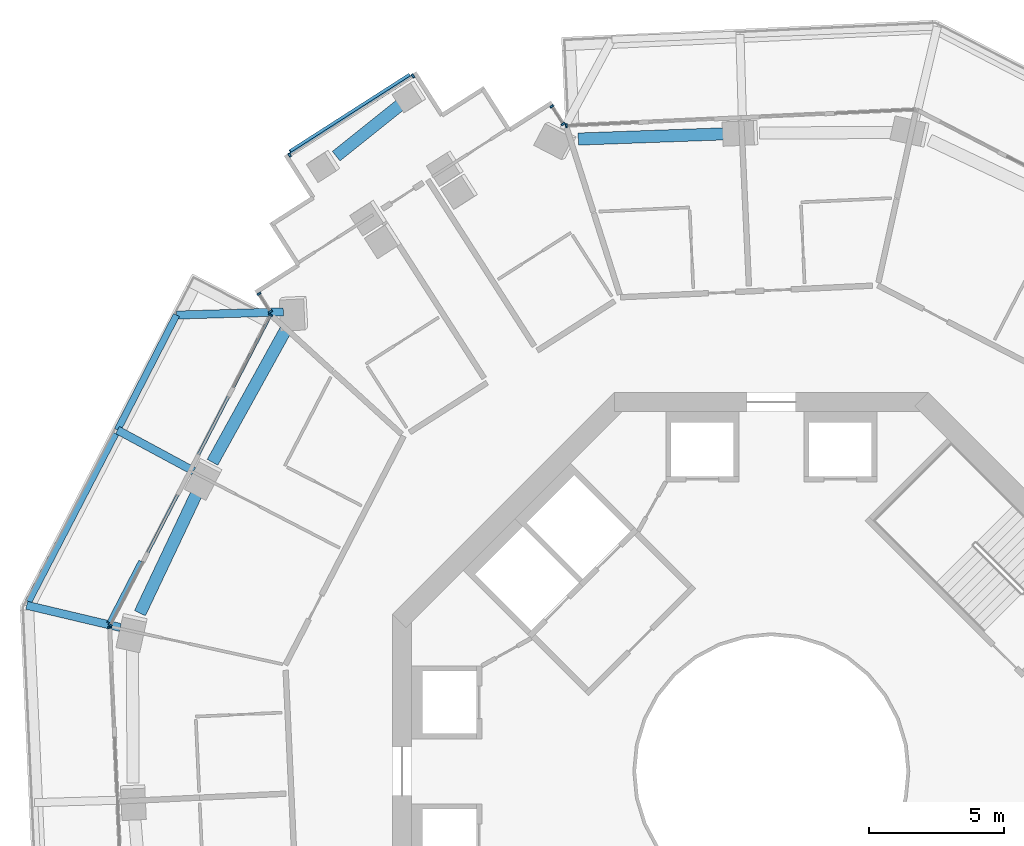
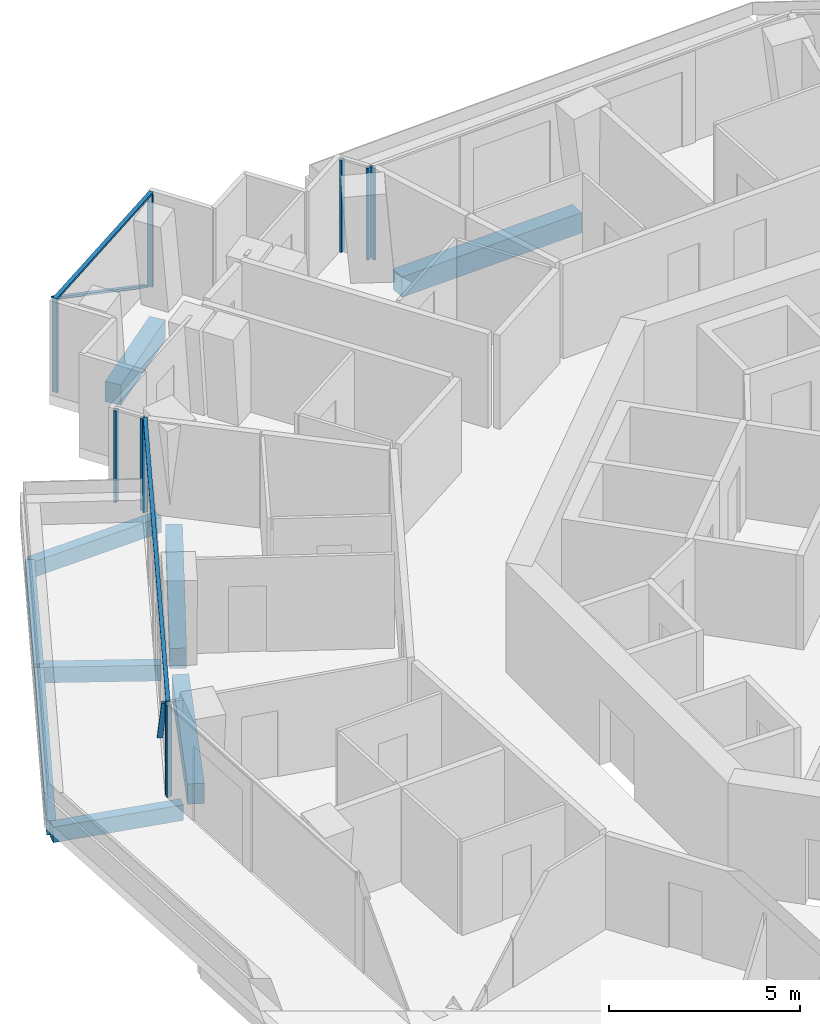
# One storey, part 7 of 22: 14 members, 9 beams, 6 elements without a shape of their own.
"""IFC4 building model written with IfcOpenShell, lengths in metres."""

from ifc_helpers import new_model, si_unit, direction, frame, origin, origin_2d, place, context, subcontext, project, spatial, rectangle, extrude, material, layer, layer_set, material_profile, profile_set, type_object, element, aggregate, save


model = new_model("IFC4")

# Units and contexts
model_context = context("Model", 3, precision=1e-05, world=origin(), true_north=direction((0.0, 1.0)))
body_context = subcontext(model_context, "Body", "Model", "MODEL_VIEW")
ifc_project = project(units=[si_unit("LENGTHUNIT", "METRE"), si_unit("AREAUNIT", "SQUARE_METRE"), si_unit("VOLUMEUNIT", "CUBIC_METRE"), si_unit("PLANEANGLEUNIT", "RADIAN"), si_unit("MASSUNIT", "GRAM", prefix="KILO")], contexts=[model_context])

# Site, building, storey
site_placement = place(None, origin())
site = spatial("IfcSite", under=ifc_project, at=site_placement, CompositionType="ELEMENT")
building_placement = place(site_placement, origin())
building = spatial("IfcBuilding", under=site, at=building_placement, Name="Verdalira Terraces Hotel", CompositionType="ELEMENT")
storey_placement = place(building_placement, frame((0.0, 0.0, 165.5)))
storey = spatial("IfcBuildingStorey", under=building, at=storey_placement, Name="L40", CompositionType="ELEMENT", Elevation=165.5)

# Beams
ifc_material_1 = material(Name="Concrete C40", Category="concrete")
ifc_material_profile_1 = material_profile(ifc_material_1, rectangle(XDim=0.300049, YDim=0.5, at=origin_2d()), Name="RC 300X500")
ifc_profile_set_1 = profile_set([ifc_material_profile_1], Name="Concrete C40")
beam_type_1 = type_object("IfcBeamType", Name="Balcony cantilever beam RC 300X500 C40", PredefinedType="BEAM", material=ifc_profile_set_1)
beam_1_placement = place(storey_placement, frame((-18.035889, 16.977783, -0.560059), z_axis=(-0.999570794, -0.029295527, 0.0), x_axis=(0.029295527, -0.999570794, 0.0)))
element("IfcBeam", 1, at=beam_1_placement, inside=storey, type_object=beam_type_1, Name="Balcony cantilever beam R11-3", PredefinedType="BEAM", context=body_context, shape_type="SweptSolid", body=[
    extrude(rectangle(XDim=0.300049, YDim=0.5, at=origin_2d()), origin(), (0.0, 0.0, 1.0), 3.950195),
])
beam_2_placement = place(storey_placement, frame((-21.347168, 11.094482, -0.560059), z_axis=(-0.8803241, 0.474372721, 0.0), x_axis=(-0.474372721, -0.8803241, 0.0)))
element("IfcBeam", 2, at=beam_2_placement, inside=storey, type_object=beam_type_1, Name="Balcony cantilever beam R11-4", PredefinedType="BEAM", context=body_context, shape_type="SweptSolid", body=[
    extrude(rectangle(XDim=0.300049, YDim=0.5, at=origin_2d()), origin(), (0.0, 0.0, 1.0), 3.200684),
])
beam_3_placement = place(storey_placement, frame((-24.062012, 5.317139, -0.560059), z_axis=(-0.973083934, 0.230450989, 0.0), x_axis=(-0.230450989, -0.973083934, 0.0)))
element("IfcBeam", 3, at=beam_3_placement, inside=storey, type_object=beam_type_1, Name="Balcony cantilever beam R11-5", PredefinedType="BEAM", context=body_context, shape_type="SweptSolid", body=[
    extrude(rectangle(XDim=0.300049, YDim=0.5, at=origin_2d()), origin(), (0.0, 0.0, 1.0), 3.556396),
])
ifc_material_2 = material(Name="Concrete C40", Category="concrete")
ifc_material_profile_2 = material_profile(ifc_material_2, rectangle(XDim=0.25, YDim=0.449951, at=origin_2d()), Name="RC 250X450")
ifc_profile_set_2 = profile_set([ifc_material_profile_2], Name="Concrete C40")
beam_type_2 = type_object("IfcBeamType", Name="Balcony edge beam RC 250X450 C40", PredefinedType="BEAM", material=ifc_profile_set_2)
beam_4_placement = place(storey_placement, frame((-21.984375, 16.862061, -0.534912), z_axis=(-0.456533532, -0.889706206, 0.0), x_axis=(0.889706206, -0.456533532, 0.0)))
element("IfcBeam", 4, at=beam_4_placement, inside=storey, type_object=beam_type_2, Name="Balcony edge beam R11-2", PredefinedType="BEAM", context=body_context, shape_type="SweptSolid", body=[
    extrude(rectangle(XDim=0.25, YDim=0.449951, at=origin_2d()), origin(), (0.0, 0.0, 1.0), 4.776123),
])
beam_5_placement = place(storey_placement, frame((-24.233887, 12.479736, -0.534912), z_axis=(-0.460311048, -0.887757703, 0.0), x_axis=(0.887757703, -0.460311048, 0.0)))
element("IfcBeam", 5, at=beam_5_placement, inside=storey, type_object=beam_type_2, Name="Balcony edge beam R11-3", PredefinedType="BEAM", context=body_context, shape_type="SweptSolid", body=[
    extrude(rectangle(XDim=0.25, YDim=0.449951, at=origin_2d()), origin(), (0.0, 0.0, 1.0), 6.990479),
])

# Curtain wall, members
ifc_material_3 = material(Name="Clear glass", Category="glass")
ifc_layer_1 = layer(ifc_material_3, 0.14990234375)
ifc_layer_set_1 = layer_set([ifc_layer_1], Name="CW1 curtain wall")
curtain_wall_type_1 = type_object("IfcCurtainWallType", Name="CW1 curtain wall", PredefinedType="NOTDEFINED", material=ifc_layer_set_1)
curtain_wall_1_placement = place(storey_placement, origin())
curtain_wall_1 = element("IfcCurtainWall", 6, at=curtain_wall_1_placement, inside=storey, type_object=curtain_wall_type_1, Name="CW1 curtain wall L40 edge 11", PredefinedType="NOTDEFINED")
ifc_material_4 = material(Name="Terracotta frame", Category="masonry")
ifc_material_profile_3 = material_profile(ifc_material_4, rectangle(XDim=0.060059, YDim=0.149902, at=origin_2d()), Name="MU 60x150")
ifc_profile_set_3 = profile_set([ifc_material_profile_3], Name="Terracotta frame")
member_type_1 = type_object("IfcMemberType", Name="CW1 mullion 60x150", PredefinedType="MULLION", material=ifc_profile_set_3)
member_1_placement = place(storey_placement, frame((-18.504639, 16.860352, 0.0), z_axis=(0.0, 0.0, 1.0), x_axis=(-0.459579861, -0.888136449, 0.0)))
member_1 = element("IfcMember", 7, at=member_1_placement, type_object=member_type_1, Name="CW1 mullion", PredefinedType="MULLION", context=body_context, shape_type="SweptSolid", body=[
    extrude(rectangle(XDim=0.060059, YDim=0.149902, at=origin_2d()), origin(), (0.0, 0.0, 1.0), 2.935059),
])
member_2_placement = place(storey_placement, frame((-24.433105, 5.403564, 0.0), z_axis=(0.0, 0.0, 1.0), x_axis=(-0.459579861, -0.888136449, 0.0)))
member_2 = element("IfcMember", 8, at=member_2_placement, type_object=member_type_1, Name="CW1 mullion", PredefinedType="MULLION", context=body_context, shape_type="SweptSolid", body=[
    extrude(rectangle(XDim=0.060059, YDim=0.149902, at=origin_2d()), origin(), (0.0, 0.0, 1.0), 2.935059),
])

# Curtain wall, member
curtain_wall_2_placement = place(storey_placement, origin())
curtain_wall_2 = element("IfcCurtainWall", 9, at=curtain_wall_2_placement, inside=storey, type_object=curtain_wall_type_1, Name="CW1 curtain wall L40 edge 12", PredefinedType="NOTDEFINED")
member_3_placement = place(storey_placement, frame((-24.453857, 5.309082, 0.0), z_axis=(0.0, 0.0, 1.0), x_axis=(0.04606039, -0.998938657, 0.0)))
member_3 = element("IfcMember", 10, at=member_3_placement, type_object=member_type_1, Name="CW1 mullion", PredefinedType="MULLION", context=body_context, shape_type="SweptSolid", body=[
    extrude(rectangle(XDim=0.060059, YDim=0.149902, at=origin_2d()), origin(), (0.0, 0.0, 1.0), 2.935059),
])
aggregate(curtain_wall_2, [member_3])

curtain_wall_3_placement = place(storey_placement, origin())
curtain_wall_3 = element("IfcCurtainWall", 11, at=curtain_wall_3_placement, inside=storey, type_object=curtain_wall_type_1, Name="CW1 curtain wall L40 edge 41", PredefinedType="NOTDEFINED")
member_4_placement = place(storey_placement, frame((-7.577148, 23.859619, 0.0), z_axis=(0.0, 0.0, 1.0), x_axis=(-0.998938657, -0.04606039, 0.0)))
member_4 = element("IfcMember", 12, at=member_4_placement, type_object=member_type_1, Name="CW1 mullion", PredefinedType="MULLION", context=body_context, shape_type="SweptSolid", body=[
    extrude(rectangle(XDim=0.060059, YDim=0.149902, at=origin_2d()), origin(), (0.0, 0.0, 1.0), 2.935059),
])
aggregate(curtain_wall_3, [member_4])

# Member
ifc_material_5 = material(Name="Terracotta frame", Category="masonry")
ifc_material_profile_4 = material_profile(ifc_material_5, rectangle(XDim=0.110107, YDim=0.064941, at=origin_2d()), Name="TR 65x110")
ifc_profile_set_4 = profile_set([ifc_material_profile_4], Name="Terracotta frame")
member_type_2 = type_object("IfcMemberType", Name="CW1 transom 65x110", PredefinedType="USERDEFINED", material=ifc_profile_set_4)
member_5_placement = place(storey_placement, frame((-18.490723, 16.886963, 2.967529), z_axis=(-0.459581271, -0.888135719, 0.0), x_axis=(0.888135719, -0.459581271, 0.0)))
member_5 = element("IfcMember", 13, at=member_5_placement, type_object=member_type_2, Name="CW1 transom", ObjectType="TRANSOM", PredefinedType="USERDEFINED", context=body_context, shape_type="SweptSolid", body=[
    extrude(rectangle(XDim=0.110107, YDim=0.064941, at=origin_2d()), origin(), (0.0, 0.0, 1.0), 12.959717),
])

# Curtain wall, members
ifc_material_6 = material(Name="Clear glass", Category="glass")
ifc_layer_2 = layer(ifc_material_6, 0.14990234375)
ifc_layer_set_2 = layer_set([ifc_layer_2], Name="CW2 curtain wall")
curtain_wall_type_2 = type_object("IfcCurtainWallType", Name="CW2 curtain wall", PredefinedType="NOTDEFINED", material=ifc_layer_set_2)
curtain_wall_4_placement = place(storey_placement, origin())
curtain_wall_4 = element("IfcCurtainWall", 14, at=curtain_wall_4_placement, inside=storey, type_object=curtain_wall_type_2, Name="CW2 curtain wall L40 edge 0", PredefinedType="NOTDEFINED")
ifc_material_7 = material(Name="Terracotta frame", Category="masonry")
ifc_material_profile_5 = material_profile(ifc_material_7, rectangle(XDim=0.070068, YDim=0.149902, at=origin_2d()), Name="MU 70x150")
ifc_profile_set_5 = profile_set([ifc_material_profile_5], Name="Terracotta frame")
member_type_3 = type_object("IfcMemberType", Name="CW2 mullion 70x150", PredefinedType="MULLION", material=ifc_profile_set_5)
member_6_placement = place(storey_placement, frame((-7.692383, 23.922119, 0.0), z_axis=(0.0, 0.0, 1.0), x_axis=(-0.539358796, 0.842076059, 0.0)))
member_6 = element("IfcMember", 15, at=member_6_placement, type_object=member_type_3, Name="CW2 mullion", PredefinedType="MULLION", context=body_context, shape_type="SweptSolid", body=[
    extrude(rectangle(XDim=0.070068, YDim=0.149902, at=origin_2d()), origin(), (0.0, 0.0, 1.0), 2.935059),
])
member_7_placement = place(storey_placement, frame((-8.113281, 24.579102, 0.0), z_axis=(0.0, 0.0, 1.0), x_axis=(-0.539358796, 0.842076059, 0.0)))
member_7 = element("IfcMember", 16, at=member_7_placement, type_object=member_type_3, Name="CW2 mullion", PredefinedType="MULLION", context=body_context, shape_type="SweptSolid", body=[
    extrude(rectangle(XDim=0.070068, YDim=0.149902, at=origin_2d()), origin(), (0.0, 0.0, 1.0), 2.935059),
])
aggregate(curtain_wall_4, [member_6, member_7])

curtain_wall_5_placement = place(storey_placement, origin())
curtain_wall_5 = element("IfcCurtainWall", 17, at=curtain_wall_5_placement, inside=storey, type_object=curtain_wall_type_2, Name="CW2 curtain wall L40 edge 10", PredefinedType="NOTDEFINED")
member_8_placement = place(storey_placement, frame((-18.933838, 17.648193, 0.0), z_axis=(0.0, 0.0, 1.0), x_axis=(0.539358796, -0.842076059, 0.0)))
member_8 = element("IfcMember", 18, at=member_8_placement, type_object=member_type_3, Name="CW2 mullion", PredefinedType="MULLION", context=body_context, shape_type="SweptSolid", body=[
    extrude(rectangle(XDim=0.070068, YDim=0.149902, at=origin_2d()), origin(), (0.0, 0.0, 1.0), 2.935059),
])
member_9_placement = place(storey_placement, frame((-18.513184, 16.991455, 0.0), z_axis=(0.0, 0.0, 1.0), x_axis=(0.539358796, -0.842076059, 0.0)))
member_9 = element("IfcMember", 19, at=member_9_placement, type_object=member_type_3, Name="CW2 mullion", PredefinedType="MULLION", context=body_context, shape_type="SweptSolid", body=[
    extrude(rectangle(XDim=0.070068, YDim=0.149902, at=origin_2d()), origin(), (0.0, 0.0, 1.0), 2.935059),
])
aggregate(curtain_wall_5, [member_8, member_9])

ifc_material_8 = material(Name="Clear glass", Category="glass")
ifc_layer_3 = layer(ifc_material_8, 0.14990234375)
ifc_layer_set_3 = layer_set([ifc_layer_3], Name="CW3 curtain wall")
curtain_wall_type_3 = type_object("IfcCurtainWallType", Name="CW3 curtain wall", PredefinedType="NOTDEFINED", material=ifc_layer_set_3)
curtain_wall_6_placement = place(storey_placement, origin())
curtain_wall_6 = element("IfcCurtainWall", 20, at=curtain_wall_6_placement, inside=storey, type_object=curtain_wall_type_3, Name="CW3 curtain wall L40 edge 5", PredefinedType="NOTDEFINED")
ifc_material_9 = material(Name="Terracotta frame", Category="masonry")
ifc_material_profile_6 = material_profile(ifc_material_9, rectangle(XDim=0.080078, YDim=0.149902, at=origin_2d()), Name="MU 80x150")
ifc_profile_set_6 = profile_set([ifc_material_profile_6], Name="Terracotta frame")
member_type_4 = type_object("IfcMemberType", Name="CW3 mullion 80x150", PredefinedType="MULLION", material=ifc_profile_set_6)
member_10_placement = place(storey_placement, frame((-13.242432, 25.699463, 0.0), z_axis=(0.0, 0.0, 1.0), x_axis=(-0.842076059, -0.539358796, 0.0)))
member_10 = element("IfcMember", 21, at=member_10_placement, type_object=member_type_4, Name="CW3 mullion", PredefinedType="MULLION", context=body_context, shape_type="SweptSolid", body=[
    extrude(rectangle(XDim=0.080078, YDim=0.149902, at=origin_2d()), origin(), (0.0, 0.0, 1.0), 2.935059),
])
member_11_placement = place(storey_placement, frame((-17.806641, 22.776123, 0.0), z_axis=(0.0, 0.0, 1.0), x_axis=(-0.842076059, -0.539358796, 0.0)))
member_11 = element("IfcMember", 22, at=member_11_placement, type_object=member_type_4, Name="CW3 mullion", PredefinedType="MULLION", context=body_context, shape_type="SweptSolid", body=[
    extrude(rectangle(XDim=0.080078, YDim=0.149902, at=origin_2d()), origin(), (0.0, 0.0, 1.0), 2.935059),
])
ifc_material_10 = material(Name="Terracotta frame", Category="masonry")
ifc_material_profile_7 = material_profile(ifc_material_10, rectangle(XDim=0.120117, YDim=0.064941, at=origin_2d()), Name="TR 65x120")
ifc_profile_set_7 = profile_set([ifc_material_profile_7], Name="Terracotta frame")
member_type_5 = type_object("IfcMemberType", Name="CW3 transom 65x120", PredefinedType="USERDEFINED", material=ifc_profile_set_7)
member_12_placement = place(storey_placement, frame((-13.20874, 25.720947, 2.967529), z_axis=(-0.842098841, -0.539323226, 0.0), x_axis=(0.539323226, -0.842098841, 0.0)))
member_12 = element("IfcMember", 23, at=member_12_placement, type_object=member_type_5, Name="CW3 transom", ObjectType="TRANSOM", PredefinedType="USERDEFINED", context=body_context, shape_type="SweptSolid", body=[
    extrude(rectangle(XDim=0.120117, YDim=0.064941, at=origin_2d()), origin(), (0.0, 0.0, 1.0), 5.5),
])
ifc_material_11 = material(Name="Terracotta frame", Category="masonry")
ifc_material_profile_8 = material_profile(ifc_material_11, rectangle(XDim=0.149902, YDim=0.060059, at=origin_2d()), Name="GB 60x150")
ifc_profile_set_8 = profile_set([ifc_material_profile_8], Name="Terracotta frame")
member_type_6 = type_object("IfcMemberType", Name="Diagonal glazing bar 60x150", PredefinedType="USERDEFINED", material=ifc_profile_set_8)
member_13_placement = place(storey_placement, frame((-13.368164, 25.729492, 0.027344), z_axis=(-0.737959041, -0.472675912, 0.481657489), x_axis=(0.539362994, -0.84207337, 0.0)))
member_13 = element("IfcMember", 24, at=member_13_placement, type_object=member_type_6, Name="Diagonal glazing bar", ObjectType="GLAZING BAR", PredefinedType="USERDEFINED", context=body_context, shape_type="SweptSolid", body=[
    extrude(rectangle(XDim=0.149902, YDim=0.060059, at=origin_2d()), origin(), (0.0, 0.0, 1.0), 5.980225),
])
aggregate(curtain_wall_6, [member_10, member_11, member_12, member_13])

# Member
member_14_placement = place(storey_placement, frame((-23.321045, 7.746582, 0.0271), z_axis=(-0.303763888, -0.587115758, 0.75034831), x_axis=(0.888166201, -0.459522359, 0.0)))
member_14 = element("IfcMember", 25, at=member_14_placement, type_object=member_type_6, Name="Diagonal glazing bar", ObjectType="GLAZING BAR", PredefinedType="USERDEFINED", context=body_context, shape_type="SweptSolid", body=[
    extrude(rectangle(XDim=0.149902, YDim=0.060059, at=origin_2d()), origin(), (0.0, 0.0, 1.0), 3.839355),
])

aggregate(curtain_wall_1, [member_1, member_2, member_5, member_14])

# Beams
ifc_material_12 = material(Name="Concrete C50", Category="concrete")
ifc_material_profile_9 = material_profile(ifc_material_12, rectangle(XDim=0.449951, YDim=0.649902, at=origin_2d()), Name="RC 450X650")
ifc_profile_set_9 = profile_set([ifc_material_profile_9], Name="Concrete C50")
beam_type_3 = type_object("IfcBeamType", Name="Spandrel beam RC 450X650 C50", PredefinedType="SPANDREL", material=ifc_profile_set_9)
beam_6_placement = place(storey_placement, frame((-13.591553, 24.72876, -0.63501), z_axis=(-0.780928491, -0.624620438, 0.0), x_axis=(0.624620438, -0.780928491, 0.0)))
element("IfcBeam", 26, at=beam_6_placement, inside=storey, type_object=beam_type_3, Name="Spandrel beam B01", PredefinedType="SPANDREL", context=body_context, shape_type="SweptSolid", body=[
    extrude(rectangle(XDim=0.449951, YDim=0.649902, at=origin_2d()), origin(), (0.0, 0.0, 1.0), 3.192627),
])
beam_7_placement = place(storey_placement, frame((-17.909912, 16.384521, -0.63501), z_axis=(-0.483733841, -0.875215157, 0.0), x_axis=(0.875215157, -0.483733841, 0.0)))
element("IfcBeam", 27, at=beam_7_placement, inside=storey, type_object=beam_type_3, Name="Spandrel beam B02", PredefinedType="SPANDREL", context=body_context, shape_type="SweptSolid", body=[
    extrude(rectangle(XDim=0.449951, YDim=0.649902, at=origin_2d()), origin(), (0.0, 0.0, 1.0), 5.671387),
])
beam_8_placement = place(storey_placement, frame((-21.189697, 10.373291, -0.63501), z_axis=(-0.427958617, -0.903798331, 0.0), x_axis=(0.903798331, -0.427958617, 0.0)))
element("IfcBeam", 28, at=beam_8_placement, inside=storey, type_object=beam_type_3, Name="Spandrel beam B03", PredefinedType="SPANDREL", context=body_context, shape_type="SweptSolid", body=[
    extrude(rectangle(XDim=0.449951, YDim=0.649902, at=origin_2d()), origin(), (0.0, 0.0, 1.0), 5.012207),
])
beam_9_placement = place(storey_placement, frame((-1.593262, 23.565186, -0.63501), z_axis=(-0.999362237, -0.035708806, 0.0), x_axis=(0.035708806, -0.999362237, 0.0)))
element("IfcBeam", 29, at=beam_9_placement, inside=storey, type_object=beam_type_3, Name="Spandrel beam B23", PredefinedType="SPANDREL", context=body_context, shape_type="SweptSolid", body=[
    extrude(rectangle(XDim=0.449951, YDim=0.649902, at=origin_2d()), origin(), (0.0, 0.0, 1.0), 5.544678),
])

save(model, "model.ifc")
